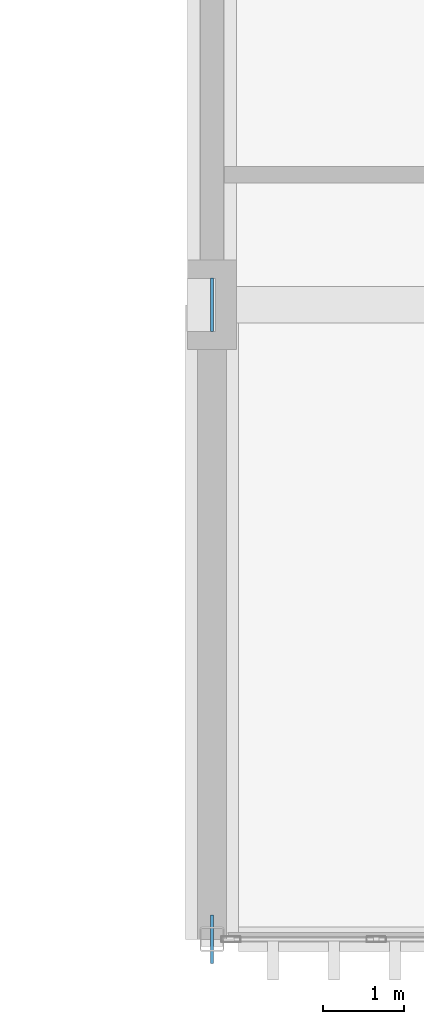
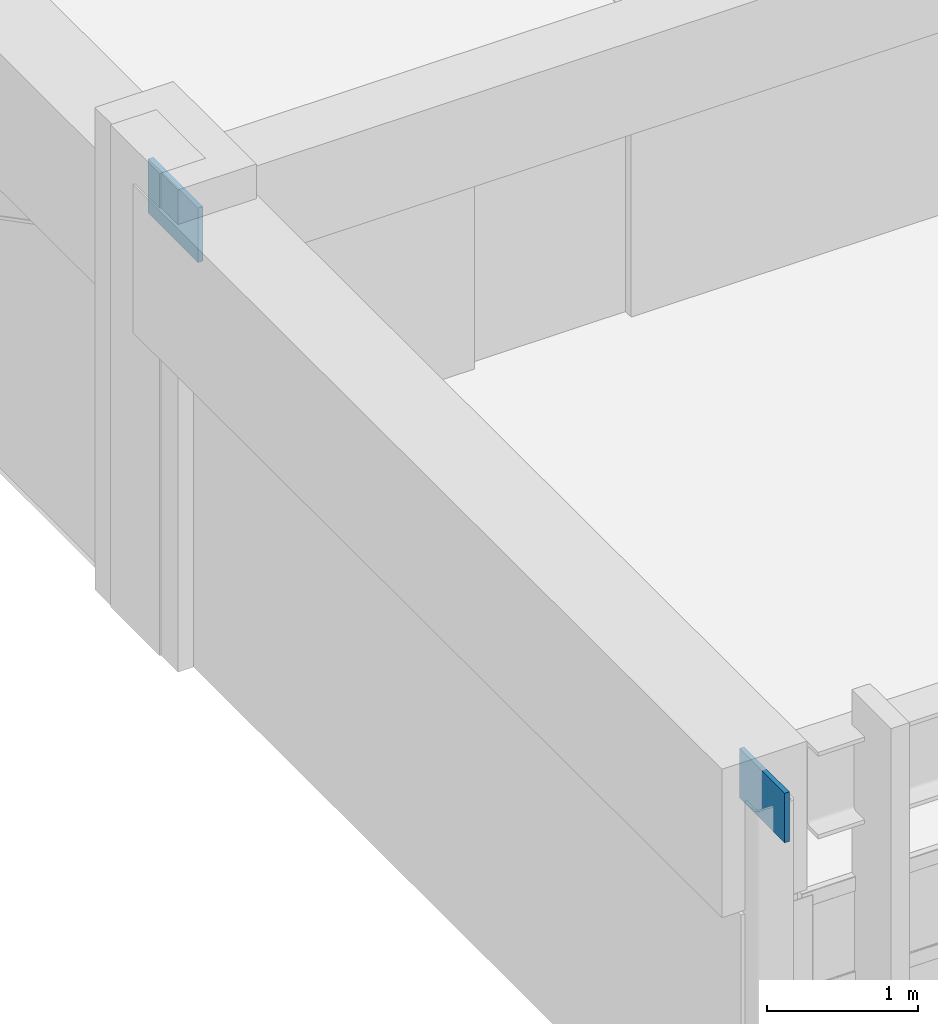
# One storey, part 55 of 82: 2 plates.
"""IFC4 building model written with IfcOpenShell, lengths in metres."""

from ifc_helpers import new_model, si_unit, direction, frame, origin, origin_2d, place, context, subcontext, project, spatial, rectangle, extrude, material, layer, layer_set, type_object, element, save


model = new_model("IFC4")

# Units and contexts
model_context = context("Model", 3, precision=1e-05, world=origin(), true_north=direction((0.0, 1.0)))
body_context = subcontext(model_context, "Body", "Model", "MODEL_VIEW")
ifc_project = project(units=[si_unit("LENGTHUNIT", "METRE"), si_unit("AREAUNIT", "SQUARE_METRE"), si_unit("VOLUMEUNIT", "CUBIC_METRE"), si_unit("PLANEANGLEUNIT", "RADIAN"), si_unit("MASSUNIT", "GRAM", prefix="KILO")], contexts=[model_context])

# Site, building, storey
site_placement = place(None, origin())
site = spatial("IfcSite", under=ifc_project, at=site_placement, CompositionType="ELEMENT")
building_placement = place(site_placement, origin())
building = spatial("IfcBuilding", under=site, at=building_placement, Name="Qasida Concert Hall", CompositionType="ELEMENT")
storey_placement = place(building_placement, frame((0.0, 0.0, 17.10009765625)))
storey = spatial("IfcBuildingStorey", under=building, at=storey_placement, Name="L04", CompositionType="ELEMENT", Elevation=17.10009765625)

# Plates
ifc_material = material(Name="Steel S355J2", Category="steel")
ifc_layer_1 = layer(ifc_material, 0.035888671875, Name="Steel S355J2")
ifc_layer_set_1 = layer_set([ifc_layer_1], Name="Steel S355J2")
plate_type_1 = type_object("IfcPlateType", Name="PLT-PL-KN1", PredefinedType="USERDEFINED", material=ifc_layer_set_1)
plate_1_placement = place(storey_placement, frame((52.5, 14.699951171875, 3.099853515625), z_axis=(0.0, 0.0, 1.0), x_axis=(1.0, 0.0, 0.0)))
element("IfcPlate", 1, at=plate_1_placement, inside=storey, type_object=plate_type_1, Name="Wall truss node plate KN-0007", ObjectType="GUSSET_PLATE", PredefinedType="USERDEFINED", context=body_context, shape_type="SweptSolid", body=[
    extrude(rectangle(XDim=0.035888671875, YDim=0.60009765625, at=origin_2d()), origin(), (0.0, 0.0, 1.0), 0.39990234375),
])
ifc_layer_2 = layer(ifc_material, 0.0380859375, Name="Steel S355J2")
ifc_layer_set_2 = layer_set([ifc_layer_2], Name="Steel S355J2")
plate_type_2 = type_object("IfcPlateType", Name="PLT-PL-KN5", PredefinedType="USERDEFINED", material=ifc_layer_set_2)
plate_2_placement = place(storey_placement, frame((52.5, 22.5, 3.079833984375), z_axis=(0.0, 0.0, 1.0), x_axis=(1.0, 0.0, 0.0)))
element("IfcPlate", 2, at=plate_2_placement, inside=storey, type_object=plate_type_2, Name="Wall truss node plate KN-0008", ObjectType="GUSSET_PLATE", PredefinedType="USERDEFINED", context=body_context, shape_type="SweptSolid", body=[
    extrude(rectangle(XDim=0.0380859375, YDim=0.659912109375, at=origin_2d()), origin(), (0.0, 0.0, 1.0), 0.43994140625),
])

save(model, "model.ifc")
